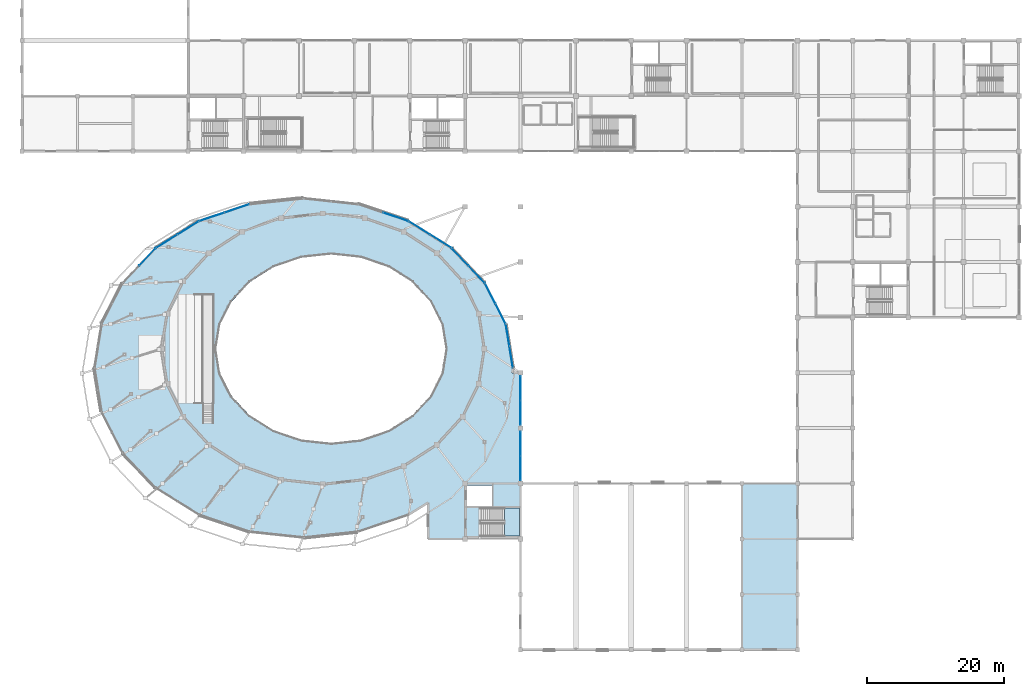
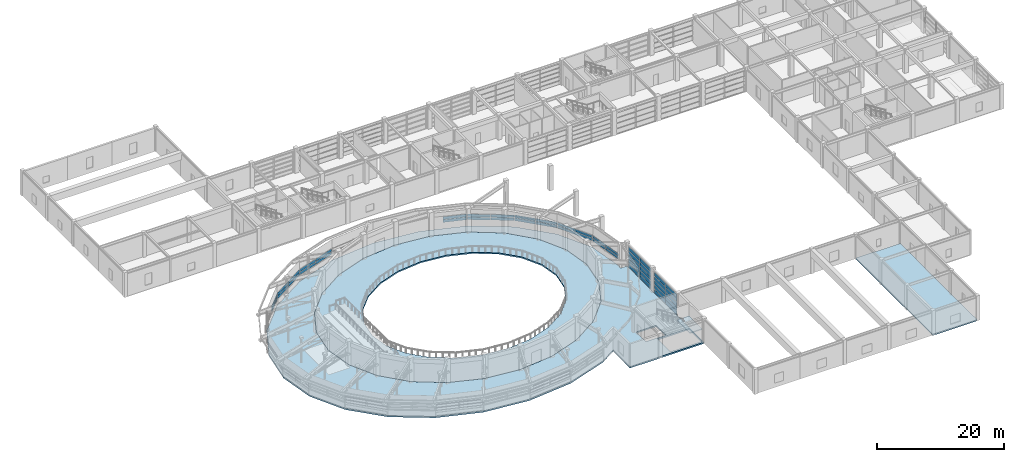
# One storey, part 37 of 58: 48 plates, 4 slabs, 11 elements without a shape of their own.
"""IFC4 building model written with IfcOpenShell, lengths in metres."""

from ifc_helpers import new_model, si_unit, direction, frame, origin, origin_2d, place, context, subcontext, project, spatial, polyline, rectangle, outline, extrude, material, layer, layer_set, type_object, element, aggregate, save


model = new_model("IFC4")

# Units and contexts
model_context = context("Model", 3, precision=1e-05, world=origin(), true_north=direction((0.0, 1.0)))
body_context = subcontext(model_context, "Body", "Model", "MODEL_VIEW")
ifc_project = project(units=[si_unit("LENGTHUNIT", "METRE"), si_unit("AREAUNIT", "SQUARE_METRE"), si_unit("VOLUMEUNIT", "CUBIC_METRE"), si_unit("PLANEANGLEUNIT", "RADIAN"), si_unit("MASSUNIT", "GRAM", prefix="KILO")], contexts=[model_context])

# Site, building, storey
site_placement = place(None, origin())
site = spatial("IfcSite", under=ifc_project, at=site_placement, CompositionType="ELEMENT")
building_placement = place(site_placement, origin())
building = spatial("IfcBuilding", under=site, at=building_placement, Name="Parian Resonance Hall", CompositionType="ELEMENT")
storey_placement = place(building_placement, frame((0.0, 0.0, 10.199951171875)))
storey = spatial("IfcBuildingStorey", under=building, at=storey_placement, Name="L02", CompositionType="ELEMENT", Elevation=10.199951171875)

# Curtain wall, plates
ifc_material_1 = material(Name="Bronze-anodised aluminium frame", Category="aluminium")
curtain_wall_type_1 = type_object("IfcCurtainWallType", Name="CW-SYS-02", PredefinedType="NOTDEFINED", material=ifc_material_1)
curtain_wall_1_placement = place(storey_placement, origin())
curtain_wall_1 = element("IfcCurtainWall", 1, at=curtain_wall_1_placement, inside=storey, type_object=curtain_wall_type_1, Name="Elliptical R2 recessed strip curtain wall 01", PredefinedType="NOTDEFINED")
ifc_material_2 = material(Name="Acoustic laminated double glazing", Category="glass")
ifc_layer_1 = layer(ifc_material_2, 0.02197265625)
ifc_layer_set_1 = layer_set([ifc_layer_1], Name="Acoustic laminated double glazing")
plate_type_1 = type_object("IfcPlateType", Name="CWP-IGU22", PredefinedType="CURTAIN_PANEL", material=ifc_layer_set_1)
plate_1_placement = place(storey_placement, frame((71.0205078125, 45.998046875, 1.20703125), z_axis=(0.0, 0.0, 1.0), x_axis=(0.160345316726, -0.98706098059, 0.0)))
plate_1 = element("IfcPlate", 2, at=plate_1_placement, type_object=plate_type_1, Name="CW-02 panel 1.1", PredefinedType="CURTAIN_PANEL", context=body_context, shape_type="SweptSolid", body=[
    extrude(rectangle(XDim=3.15380859375, YDim=0.02197265625, at=origin_2d()), origin(), (0.0, 0.0, 1.0), 0.510498046875),
])
plate_2_placement = place(storey_placement, frame((71.0205078125, 45.998046875, 1.78271484375), z_axis=(0.0, 0.0, 1.0), x_axis=(0.160345316726, -0.98706098059, 0.0)))
plate_2 = element("IfcPlate", 3, at=plate_2_placement, type_object=plate_type_1, Name="CW-02 panel 1.2", PredefinedType="CURTAIN_PANEL", context=body_context, shape_type="SweptSolid", body=[
    extrude(rectangle(XDim=3.15380859375, YDim=0.02197265625, at=origin_2d()), origin(), (0.0, 0.0, 1.0), 0.512451171875),
])
plate_3_placement = place(storey_placement, frame((71.53662109375, 42.82080078125, 1.20703125), z_axis=(0.0, 0.0, 1.0), x_axis=(0.160345316726, -0.98706098059, 0.0)))
plate_3 = element("IfcPlate", 4, at=plate_3_placement, type_object=plate_type_1, Name="CW-02 panel 2.1", PredefinedType="CURTAIN_PANEL", context=body_context, shape_type="SweptSolid", body=[
    extrude(rectangle(XDim=3.15380859375, YDim=0.02197265625, at=origin_2d()), origin(), (0.0, 0.0, 1.0), 0.510498046875),
])
plate_4_placement = place(storey_placement, frame((71.53662109375, 42.82080078125, 1.78271484375), z_axis=(0.0, 0.0, 1.0), x_axis=(0.160345316726, -0.98706098059, 0.0)))
plate_4 = element("IfcPlate", 5, at=plate_4_placement, type_object=plate_type_1, Name="CW-02 panel 2.2", PredefinedType="CURTAIN_PANEL", context=body_context, shape_type="SweptSolid", body=[
    extrude(rectangle(XDim=3.15380859375, YDim=0.02197265625, at=origin_2d()), origin(), (0.0, 0.0, 1.0), 0.512451171875),
])
aggregate(curtain_wall_1, [plate_1, plate_2, plate_3, plate_4])

ifc_material_3 = material(Name="Bronze-anodised aluminium frame", Category="aluminium")
curtain_wall_type_2 = type_object("IfcCurtainWallType", Name="CW-SYS-05", PredefinedType="NOTDEFINED", material=ifc_material_3)
curtain_wall_2_placement = place(storey_placement, origin())
curtain_wall_2 = element("IfcCurtainWall", 6, at=curtain_wall_2_placement, inside=storey, type_object=curtain_wall_type_2, Name="Elliptical R2 recessed strip curtain wall 04", PredefinedType="NOTDEFINED")
plate_5_placement = place(storey_placement, frame((58.100341796875, 61.68212890625, 1.217041015625), z_axis=(0.0, 0.0, 1.0), x_axis=(0.849184800539, -0.528095800526, 0.0)))
plate_5 = element("IfcPlate", 7, at=plate_5_placement, type_object=plate_type_1, Name="CW-05 panel 1.1", PredefinedType="CURTAIN_PANEL", context=body_context, shape_type="SweptSolid", body=[
    extrude(rectangle(XDim=3.619140625, YDim=0.02197265625, at=origin_2d()), origin(), (0.0, 0.0, 1.0), 0.49560546875),
])
plate_6_placement = place(storey_placement, frame((58.100341796875, 61.68212890625, 1.78759765625), z_axis=(0.0, 0.0, 1.0), x_axis=(0.849184800539, -0.528095800526, 0.0)))
plate_6 = element("IfcPlate", 8, at=plate_6_placement, type_object=plate_type_1, Name="CW-05 panel 1.2", PredefinedType="CURTAIN_PANEL", context=body_context, shape_type="SweptSolid", body=[
    extrude(rectangle(XDim=3.619140625, YDim=0.02197265625, at=origin_2d()), origin(), (0.0, 0.0, 1.0), 0.49755859375),
])
plate_7_placement = place(storey_placement, frame((61.2373046875, 59.7314453125, 1.217041015625), z_axis=(0.0, 0.0, 1.0), x_axis=(0.849184800539, -0.528095800526, 0.0)))
plate_7 = element("IfcPlate", 9, at=plate_7_placement, type_object=plate_type_1, Name="CW-05 panel 2.1", PredefinedType="CURTAIN_PANEL", context=body_context, shape_type="SweptSolid", body=[
    extrude(rectangle(XDim=3.619140625, YDim=0.02197265625, at=origin_2d()), origin(), (0.0, 0.0, 1.0), 0.49560546875),
])
plate_8_placement = place(storey_placement, frame((61.2373046875, 59.7314453125, 1.78759765625), z_axis=(0.0, 0.0, 1.0), x_axis=(0.849184800539, -0.528095800526, 0.0)))
plate_8 = element("IfcPlate", 10, at=plate_8_placement, type_object=plate_type_1, Name="CW-05 panel 2.2", PredefinedType="CURTAIN_PANEL", context=body_context, shape_type="SweptSolid", body=[
    extrude(rectangle(XDim=3.619140625, YDim=0.02197265625, at=origin_2d()), origin(), (0.0, 0.0, 1.0), 0.49755859375),
])
aggregate(curtain_wall_2, [plate_5, plate_6, plate_7, plate_8])

curtain_wall_3_placement = place(storey_placement, origin())
curtain_wall_3 = element("IfcCurtainWall", 11, at=curtain_wall_3_placement, inside=storey, type_object=curtain_wall_type_2, Name="Elliptical R2 recessed strip curtain wall 10", PredefinedType="NOTDEFINED")
plate_9_placement = place(storey_placement, frame((18.333984375, 57.4384765625, 1.217041015625), z_axis=(0.0, 0.0, 1.0), x_axis=(0.687523049737, 0.72616255486, 0.0)))
plate_9 = element("IfcPlate", 12, at=plate_9_placement, type_object=plate_type_1, Name="CW-05 panel 2.1", PredefinedType="CURTAIN_PANEL", context=body_context, shape_type="SweptSolid", body=[
    extrude(rectangle(XDim=3.424072265625, YDim=0.02197265625, at=origin_2d()), origin(), (0.0, 0.0, 1.0), 0.49560546875),
])
plate_10_placement = place(storey_placement, frame((18.333984375, 57.4384765625, 1.78759765625), z_axis=(0.0, 0.0, 1.0), x_axis=(0.687523049737, 0.72616255486, 0.0)))
plate_10 = element("IfcPlate", 13, at=plate_10_placement, type_object=plate_type_1, Name="CW-05 panel 2.2", PredefinedType="CURTAIN_PANEL", context=body_context, shape_type="SweptSolid", body=[
    extrude(rectangle(XDim=3.424072265625, YDim=0.02197265625, at=origin_2d()), origin(), (0.0, 0.0, 1.0), 0.49755859375),
])
aggregate(curtain_wall_3, [plate_9, plate_10])

ifc_material_4 = material(Name="Bronze-anodised aluminium frame", Category="aluminium")
curtain_wall_type_3 = type_object("IfcCurtainWallType", Name="CW-SYS-04", PredefinedType="NOTDEFINED", material=ifc_material_4)
curtain_wall_4_placement = place(storey_placement, origin())
curtain_wall_4 = element("IfcCurtainWall", 14, at=curtain_wall_4_placement, inside=storey, type_object=curtain_wall_type_3, Name="Curtain wall CW-L02-132", PredefinedType="NOTDEFINED")
plate_11_placement = place(storey_placement, frame((72.89990234375, 30.141357421875, 0.06689453125), z_axis=(0.0, 0.0, 1.0), x_axis=(0.0, -1.0, 0.0)))
plate_11 = element("IfcPlate", 15, at=plate_11_placement, type_object=plate_type_1, Name="CW-04 panel 1.1", PredefinedType="CURTAIN_PANEL", context=body_context, shape_type="SweptSolid", body=[
    extrude(rectangle(XDim=3.507568359375, YDim=0.02197265625, at=origin_2d()), origin(), (0.0, 0.0, 1.0), 0.722900390625),
])
plate_12_placement = place(storey_placement, frame((72.89990234375, 30.141357421875, 0.864990234375), z_axis=(0.0, 0.0, 1.0), x_axis=(0.0, -1.0, 0.0)))
plate_12 = element("IfcPlate", 16, at=plate_12_placement, type_object=plate_type_1, Name="CW-04 panel 1.2", PredefinedType="CURTAIN_PANEL", context=body_context, shape_type="SweptSolid", body=[
    extrude(rectangle(XDim=3.507568359375, YDim=0.02197265625, at=origin_2d()), origin(), (0.0, 0.0, 1.0), 0.75244140625),
])
plate_13_placement = place(storey_placement, frame((72.89990234375, 30.141357421875, 1.6923828125), z_axis=(0.0, 0.0, 1.0), x_axis=(0.0, -1.0, 0.0)))
plate_13 = element("IfcPlate", 17, at=plate_13_placement, type_object=plate_type_1, Name="CW-04 panel 1.3", PredefinedType="CURTAIN_PANEL", context=body_context, shape_type="SweptSolid", body=[
    extrude(rectangle(XDim=3.507568359375, YDim=0.02197265625, at=origin_2d()), origin(), (0.0, 0.0, 1.0), 0.75244140625),
])
plate_14_placement = place(storey_placement, frame((72.89990234375, 30.141357421875, 2.519775390625), z_axis=(0.0, 0.0, 1.0), x_axis=(0.0, -1.0, 0.0)))
plate_14 = element("IfcPlate", 18, at=plate_14_placement, type_object=plate_type_1, Name="CW-04 panel 1.4", PredefinedType="CURTAIN_PANEL", context=body_context, shape_type="SweptSolid", body=[
    extrude(rectangle(XDim=3.507568359375, YDim=0.02197265625, at=origin_2d()), origin(), (0.0, 0.0, 1.0), 0.75244140625),
])
plate_15_placement = place(storey_placement, frame((72.89990234375, 30.141357421875, 3.34716796875), z_axis=(0.0, 0.0, 1.0), x_axis=(0.0, -1.0, 0.0)))
plate_15 = element("IfcPlate", 19, at=plate_15_placement, type_object=plate_type_1, Name="CW-04 panel 1.5", PredefinedType="CURTAIN_PANEL", context=body_context, shape_type="SweptSolid", body=[
    extrude(rectangle(XDim=3.507568359375, YDim=0.02197265625, at=origin_2d()), origin(), (0.0, 0.0, 1.0), 0.724853515625),
])
plate_16_placement = place(storey_placement, frame((72.89990234375, 26.558837890625, 0.06689453125), z_axis=(0.0, 0.0, 1.0), x_axis=(0.0, -1.0, 0.0)))
plate_16 = element("IfcPlate", 20, at=plate_16_placement, type_object=plate_type_1, Name="CW-04 panel 2.1", PredefinedType="CURTAIN_PANEL", context=body_context, shape_type="SweptSolid", body=[
    extrude(rectangle(XDim=3.507568359375, YDim=0.02197265625, at=origin_2d()), origin(), (0.0, 0.0, 1.0), 0.722900390625),
])
plate_17_placement = place(storey_placement, frame((72.89990234375, 26.558837890625, 0.864990234375), z_axis=(0.0, 0.0, 1.0), x_axis=(0.0, -1.0, 0.0)))
plate_17 = element("IfcPlate", 21, at=plate_17_placement, type_object=plate_type_1, Name="CW-04 panel 2.2", PredefinedType="CURTAIN_PANEL", context=body_context, shape_type="SweptSolid", body=[
    extrude(rectangle(XDim=3.507568359375, YDim=0.02197265625, at=origin_2d()), origin(), (0.0, 0.0, 1.0), 0.75244140625),
])
plate_18_placement = place(storey_placement, frame((72.89990234375, 26.558837890625, 1.6923828125), z_axis=(0.0, 0.0, 1.0), x_axis=(0.0, -1.0, 0.0)))
plate_18 = element("IfcPlate", 22, at=plate_18_placement, type_object=plate_type_1, Name="CW-04 panel 2.3", PredefinedType="CURTAIN_PANEL", context=body_context, shape_type="SweptSolid", body=[
    extrude(rectangle(XDim=3.507568359375, YDim=0.02197265625, at=origin_2d()), origin(), (0.0, 0.0, 1.0), 0.75244140625),
])
plate_19_placement = place(storey_placement, frame((72.89990234375, 26.558837890625, 2.519775390625), z_axis=(0.0, 0.0, 1.0), x_axis=(0.0, -1.0, 0.0)))
plate_19 = element("IfcPlate", 23, at=plate_19_placement, type_object=plate_type_1, Name="CW-04 panel 2.4", PredefinedType="CURTAIN_PANEL", context=body_context, shape_type="SweptSolid", body=[
    extrude(rectangle(XDim=3.507568359375, YDim=0.02197265625, at=origin_2d()), origin(), (0.0, 0.0, 1.0), 0.75244140625),
])
plate_20_placement = place(storey_placement, frame((72.89990234375, 26.558837890625, 3.34716796875), z_axis=(0.0, 0.0, 1.0), x_axis=(0.0, -1.0, 0.0)))
plate_20 = element("IfcPlate", 24, at=plate_20_placement, type_object=plate_type_1, Name="CW-04 panel 2.5", PredefinedType="CURTAIN_PANEL", context=body_context, shape_type="SweptSolid", body=[
    extrude(rectangle(XDim=3.507568359375, YDim=0.02197265625, at=origin_2d()), origin(), (0.0, 0.0, 1.0), 0.724853515625),
])
aggregate(curtain_wall_4, [plate_11, plate_12, plate_13, plate_14, plate_15, plate_16, plate_17, plate_18, plate_19, plate_20])

ifc_material_5 = material(Name="Bronze-anodised aluminium frame", Category="aluminium")
curtain_wall_type_4 = type_object("IfcCurtainWallType", Name="CW-SYS-03", PredefinedType="NOTDEFINED", material=ifc_material_5)
curtain_wall_5_placement = place(storey_placement, origin())
curtain_wall_5 = element("IfcCurtainWall", 25, at=curtain_wall_5_placement, inside=storey, type_object=curtain_wall_type_4, Name="Elliptical R2 recessed strip curtain wall 02", PredefinedType="NOTDEFINED")
ifc_material_6 = material(Name="Acoustic laminated double glazing", Category="glass")
ifc_layer_2 = layer(ifc_material_6, 0.031982421875)
ifc_layer_set_2 = layer_set([ifc_layer_2], Name="Acoustic laminated double glazing")
plate_type_2 = type_object("IfcPlateType", Name="CWP-IGU32", PredefinedType="CURTAIN_PANEL", material=ifc_layer_set_2)
plate_21_placement = place(storey_placement, frame((68.47314453125, 52.087890625, 1.217041015625), z_axis=(0.0, 0.0, 1.0), x_axis=(0.455086403076, -0.890447284085, 0.0)))
plate_21 = element("IfcPlate", 26, at=plate_21_placement, type_object=plate_type_2, Name="CW-03 panel 1.1", PredefinedType="CURTAIN_PANEL", context=body_context, shape_type="SweptSolid", body=[
    extrude(rectangle(XDim=3.24609375, YDim=0.031982421875, at=origin_2d()), origin(), (0.0, 0.0, 1.0), 0.49560546875),
])
plate_22_placement = place(storey_placement, frame((68.47314453125, 52.087890625, 1.78759765625), z_axis=(0.0, 0.0, 1.0), x_axis=(0.455086403076, -0.890447284085, 0.0)))
plate_22 = element("IfcPlate", 27, at=plate_22_placement, type_object=plate_type_2, Name="CW-03 panel 1.2", PredefinedType="CURTAIN_PANEL", context=body_context, shape_type="SweptSolid", body=[
    extrude(rectangle(XDim=3.24609375, YDim=0.031982421875, at=origin_2d()), origin(), (0.0, 0.0, 1.0), 0.49755859375),
])
plate_23_placement = place(storey_placement, frame((69.984619140625, 49.130615234375, 1.217041015625), z_axis=(0.0, 0.0, 1.0), x_axis=(0.455086403076, -0.890447284085, 0.0)))
plate_23 = element("IfcPlate", 28, at=plate_23_placement, type_object=plate_type_2, Name="CW-03 panel 2.1", PredefinedType="CURTAIN_PANEL", context=body_context, shape_type="SweptSolid", body=[
    extrude(rectangle(XDim=3.24609375, YDim=0.031982421875, at=origin_2d()), origin(), (0.0, 0.0, 1.0), 0.49560546875),
])
plate_24_placement = place(storey_placement, frame((69.984619140625, 49.130615234375, 1.78759765625), z_axis=(0.0, 0.0, 1.0), x_axis=(0.455086403076, -0.890447284085, 0.0)))
plate_24 = element("IfcPlate", 29, at=plate_24_placement, type_object=plate_type_2, Name="CW-03 panel 2.2", PredefinedType="CURTAIN_PANEL", context=body_context, shape_type="SweptSolid", body=[
    extrude(rectangle(XDim=3.24609375, YDim=0.031982421875, at=origin_2d()), origin(), (0.0, 0.0, 1.0), 0.49755859375),
])
aggregate(curtain_wall_5, [plate_21, plate_22, plate_23, plate_24])

ifc_material_7 = material(Name="Bronze-anodised aluminium frame", Category="aluminium")
curtain_wall_type_5 = type_object("IfcCurtainWallType", Name="CW-SYS-06", PredefinedType="NOTDEFINED", material=ifc_material_7)
curtain_wall_6_placement = place(storey_placement, origin())
curtain_wall_6 = element("IfcCurtainWall", 30, at=curtain_wall_6_placement, inside=storey, type_object=curtain_wall_type_5, Name="Elliptical R2 recessed strip curtain wall 05", PredefinedType="NOTDEFINED")
plate_25_placement = place(storey_placement, frame((54.6396484375, 63.302001953125, 1.20703125), z_axis=(0.0, 0.0, 1.0), x_axis=(0.948004171147, -0.318257900904, 0.0)))
plate_25 = element("IfcPlate", 31, at=plate_25_placement, type_object=plate_type_2, Name="CW-06 panel 2.1", PredefinedType="CURTAIN_PANEL", context=body_context, shape_type="SweptSolid", body=[
    extrude(rectangle(XDim=3.794921875, YDim=0.031982421875, at=origin_2d()), origin(), (0.0, 0.0, 1.0), 0.510498046875),
])
plate_26_placement = place(storey_placement, frame((54.6396484375, 63.302001953125, 1.78271484375), z_axis=(0.0, 0.0, 1.0), x_axis=(0.948004171147, -0.318257900904, 0.0)))
plate_26 = element("IfcPlate", 32, at=plate_26_placement, type_object=plate_type_2, Name="CW-06 panel 2.2", PredefinedType="CURTAIN_PANEL", context=body_context, shape_type="SweptSolid", body=[
    extrude(rectangle(XDim=3.794921875, YDim=0.031982421875, at=origin_2d()), origin(), (0.0, 0.0, 1.0), 0.512451171875),
])
aggregate(curtain_wall_6, [plate_25, plate_26])

curtain_wall_7_placement = place(storey_placement, origin())
curtain_wall_7 = element("IfcCurtainWall", 33, at=curtain_wall_7_placement, inside=storey, type_object=curtain_wall_type_4, Name="Elliptical R2 recessed strip curtain wall 08", PredefinedType="NOTDEFINED")
plate_27_placement = place(storey_placement, frame((27.7626953125, 63.302734375, 1.217041015625), z_axis=(0.0, 0.0, 1.0), x_axis=(0.948004171147, 0.318257900904, 0.0)))
plate_27 = element("IfcPlate", 34, at=plate_27_placement, type_object=plate_type_2, Name="CW-03 panel 1.1", PredefinedType="CURTAIN_PANEL", context=body_context, shape_type="SweptSolid", body=[
    extrude(rectangle(XDim=3.780029296875, YDim=0.031982421875, at=origin_2d()), origin(), (0.0, 0.0, 1.0), 0.49560546875),
])
plate_28_placement = place(storey_placement, frame((27.7626953125, 63.302734375, 1.78759765625), z_axis=(0.0, 0.0, 1.0), x_axis=(0.948004171147, 0.318257900904, 0.0)))
plate_28 = element("IfcPlate", 35, at=plate_28_placement, type_object=plate_type_2, Name="CW-03 panel 1.2", PredefinedType="CURTAIN_PANEL", context=body_context, shape_type="SweptSolid", body=[
    extrude(rectangle(XDim=3.780029296875, YDim=0.031982421875, at=origin_2d()), origin(), (0.0, 0.0, 1.0), 0.49755859375),
])
plate_29_placement = place(storey_placement, frame((31.417236328125, 64.529541015625, 1.217041015625), z_axis=(0.0, 0.0, 1.0), x_axis=(0.948004171147, 0.318257900904, 0.0)))
plate_29 = element("IfcPlate", 36, at=plate_29_placement, type_object=plate_type_2, Name="CW-03 panel 2.1", PredefinedType="CURTAIN_PANEL", context=body_context, shape_type="SweptSolid", body=[
    extrude(rectangle(XDim=3.780029296875, YDim=0.031982421875, at=origin_2d()), origin(), (0.0, 0.0, 1.0), 0.49560546875),
])
plate_30_placement = place(storey_placement, frame((31.417236328125, 64.529541015625, 1.78759765625), z_axis=(0.0, 0.0, 1.0), x_axis=(0.948004171147, 0.318257900904, 0.0)))
plate_30 = element("IfcPlate", 37, at=plate_30_placement, type_object=plate_type_2, Name="CW-03 panel 2.2", PredefinedType="CURTAIN_PANEL", context=body_context, shape_type="SweptSolid", body=[
    extrude(rectangle(XDim=3.780029296875, YDim=0.031982421875, at=origin_2d()), origin(), (0.0, 0.0, 1.0), 0.49755859375),
])
aggregate(curtain_wall_7, [plate_27, plate_28, plate_29, plate_30])

curtain_wall_8_placement = place(storey_placement, origin())
curtain_wall_8 = element("IfcCurtainWall", 38, at=curtain_wall_8_placement, inside=storey, type_object=curtain_wall_type_2, Name="Curtain wall CW-L02-136", PredefinedType="NOTDEFINED")
plate_31_placement = place(storey_placement, frame((72.89990234375, 38.2412109375, 0.06689453125), z_axis=(0.0, 0.0, 1.0), x_axis=(0.0, -1.0, 0.0)))
plate_31 = element("IfcPlate", 39, at=plate_31_placement, type_object=plate_type_2, Name="CW-05 panel 1.1", PredefinedType="CURTAIN_PANEL", context=body_context, shape_type="SweptSolid", body=[
    extrude(rectangle(XDim=3.507568359375, YDim=0.031982421875, at=origin_2d()), origin(), (0.0, 0.0, 1.0), 0.722900390625),
])
plate_32_placement = place(storey_placement, frame((72.89990234375, 38.2412109375, 0.864990234375), z_axis=(0.0, 0.0, 1.0), x_axis=(0.0, -1.0, 0.0)))
plate_32 = element("IfcPlate", 40, at=plate_32_placement, type_object=plate_type_2, Name="CW-05 panel 1.2", PredefinedType="CURTAIN_PANEL", context=body_context, shape_type="SweptSolid", body=[
    extrude(rectangle(XDim=3.507568359375, YDim=0.031982421875, at=origin_2d()), origin(), (0.0, 0.0, 1.0), 0.75244140625),
])
plate_33_placement = place(storey_placement, frame((72.89990234375, 38.2412109375, 1.6923828125), z_axis=(0.0, 0.0, 1.0), x_axis=(0.0, -1.0, 0.0)))
plate_33 = element("IfcPlate", 41, at=plate_33_placement, type_object=plate_type_2, Name="CW-05 panel 1.3", PredefinedType="CURTAIN_PANEL", context=body_context, shape_type="SweptSolid", body=[
    extrude(rectangle(XDim=3.507568359375, YDim=0.031982421875, at=origin_2d()), origin(), (0.0, 0.0, 1.0), 0.75244140625),
])
plate_34_placement = place(storey_placement, frame((72.89990234375, 38.2412109375, 2.519775390625), z_axis=(0.0, 0.0, 1.0), x_axis=(0.0, -1.0, 0.0)))
plate_34 = element("IfcPlate", 42, at=plate_34_placement, type_object=plate_type_2, Name="CW-05 panel 1.4", PredefinedType="CURTAIN_PANEL", context=body_context, shape_type="SweptSolid", body=[
    extrude(rectangle(XDim=3.507568359375, YDim=0.031982421875, at=origin_2d()), origin(), (0.0, 0.0, 1.0), 0.75244140625),
])
plate_35_placement = place(storey_placement, frame((72.89990234375, 38.2412109375, 3.34716796875), z_axis=(0.0, 0.0, 1.0), x_axis=(0.0, -1.0, 0.0)))
plate_35 = element("IfcPlate", 43, at=plate_35_placement, type_object=plate_type_2, Name="CW-05 panel 1.5", PredefinedType="CURTAIN_PANEL", context=body_context, shape_type="SweptSolid", body=[
    extrude(rectangle(XDim=3.507568359375, YDim=0.031982421875, at=origin_2d()), origin(), (0.0, 0.0, 1.0), 0.724853515625),
])
plate_36_placement = place(storey_placement, frame((72.89990234375, 34.65869140625, 0.06689453125), z_axis=(0.0, 0.0, 1.0), x_axis=(0.0, -1.0, 0.0)))
plate_36 = element("IfcPlate", 44, at=plate_36_placement, type_object=plate_type_2, Name="CW-05 panel 2.1", PredefinedType="CURTAIN_PANEL", context=body_context, shape_type="SweptSolid", body=[
    extrude(rectangle(XDim=3.507568359375, YDim=0.031982421875, at=origin_2d()), origin(), (0.0, 0.0, 1.0), 0.722900390625),
])
plate_37_placement = place(storey_placement, frame((72.89990234375, 34.65869140625, 0.864990234375), z_axis=(0.0, 0.0, 1.0), x_axis=(0.0, -1.0, 0.0)))
plate_37 = element("IfcPlate", 45, at=plate_37_placement, type_object=plate_type_2, Name="CW-05 panel 2.2", PredefinedType="CURTAIN_PANEL", context=body_context, shape_type="SweptSolid", body=[
    extrude(rectangle(XDim=3.507568359375, YDim=0.031982421875, at=origin_2d()), origin(), (0.0, 0.0, 1.0), 0.75244140625),
])
plate_38_placement = place(storey_placement, frame((72.89990234375, 34.65869140625, 1.6923828125), z_axis=(0.0, 0.0, 1.0), x_axis=(0.0, -1.0, 0.0)))
plate_38 = element("IfcPlate", 46, at=plate_38_placement, type_object=plate_type_2, Name="CW-05 panel 2.3", PredefinedType="CURTAIN_PANEL", context=body_context, shape_type="SweptSolid", body=[
    extrude(rectangle(XDim=3.507568359375, YDim=0.031982421875, at=origin_2d()), origin(), (0.0, 0.0, 1.0), 0.75244140625),
])
plate_39_placement = place(storey_placement, frame((72.89990234375, 34.65869140625, 2.519775390625), z_axis=(0.0, 0.0, 1.0), x_axis=(0.0, -1.0, 0.0)))
plate_39 = element("IfcPlate", 47, at=plate_39_placement, type_object=plate_type_2, Name="CW-05 panel 2.4", PredefinedType="CURTAIN_PANEL", context=body_context, shape_type="SweptSolid", body=[
    extrude(rectangle(XDim=3.507568359375, YDim=0.031982421875, at=origin_2d()), origin(), (0.0, 0.0, 1.0), 0.75244140625),
])
plate_40_placement = place(storey_placement, frame((72.89990234375, 34.65869140625, 3.34716796875), z_axis=(0.0, 0.0, 1.0), x_axis=(0.0, -1.0, 0.0)))
plate_40 = element("IfcPlate", 48, at=plate_40_placement, type_object=plate_type_2, Name="CW-05 panel 2.5", PredefinedType="CURTAIN_PANEL", context=body_context, shape_type="SweptSolid", body=[
    extrude(rectangle(XDim=3.507568359375, YDim=0.031982421875, at=origin_2d()), origin(), (0.0, 0.0, 1.0), 0.724853515625),
])
aggregate(curtain_wall_8, [plate_31, plate_32, plate_33, plate_34, plate_35, plate_36, plate_37, plate_38, plate_39, plate_40])

curtain_wall_9_placement = place(storey_placement, origin())
curtain_wall_9 = element("IfcCurtainWall", 49, at=curtain_wall_9_placement, inside=storey, type_object=curtain_wall_type_3, Name="Elliptical R2 recessed strip curtain wall 03", PredefinedType="NOTDEFINED")
ifc_material_8 = material(Name="Acoustic laminated double glazing", Category="glass")
ifc_layer_3 = layer(ifc_material_8, 0.0419921875)
ifc_layer_set_3 = layer_set([ifc_layer_3], Name="Acoustic laminated double glazing")
plate_type_3 = type_object("IfcPlateType", Name="CWP-IGU42", PredefinedType="CURTAIN_PANEL", material=ifc_layer_set_3)
plate_41_placement = place(storey_placement, frame((64.064453125, 57.4404296875, 1.20703125), z_axis=(0.0, 0.0, 1.0), x_axis=(0.687523049737, -0.72616255486, 0.0)))
plate_41 = element("IfcPlate", 50, at=plate_41_placement, type_object=plate_type_3, Name="CW-04 panel 1.1", PredefinedType="CURTAIN_PANEL", context=body_context, shape_type="SweptSolid", body=[
    extrude(rectangle(XDim=3.43896484375, YDim=0.0419921875, at=origin_2d()), origin(), (0.0, 0.0, 1.0), 0.510498046875),
])
plate_42_placement = place(storey_placement, frame((64.064453125, 57.4404296875, 1.78271484375), z_axis=(0.0, 0.0, 1.0), x_axis=(0.687523049737, -0.72616255486, 0.0)))
plate_42 = element("IfcPlate", 51, at=plate_42_placement, type_object=plate_type_3, Name="CW-04 panel 1.2", PredefinedType="CURTAIN_PANEL", context=body_context, shape_type="SweptSolid", body=[
    extrude(rectangle(XDim=3.43896484375, YDim=0.0419921875, at=origin_2d()), origin(), (0.0, 0.0, 1.0), 0.512451171875),
])
plate_43_placement = place(storey_placement, frame((66.473388671875, 54.895751953125, 1.20703125), z_axis=(0.0, 0.0, 1.0), x_axis=(0.687523049737, -0.72616255486, 0.0)))
plate_43 = element("IfcPlate", 52, at=plate_43_placement, type_object=plate_type_3, Name="CW-04 panel 2.1", PredefinedType="CURTAIN_PANEL", context=body_context, shape_type="SweptSolid", body=[
    extrude(rectangle(XDim=3.43896484375, YDim=0.0419921875, at=origin_2d()), origin(), (0.0, 0.0, 1.0), 0.510498046875),
])
plate_44_placement = place(storey_placement, frame((66.473388671875, 54.895751953125, 1.78271484375), z_axis=(0.0, 0.0, 1.0), x_axis=(0.687523049737, -0.72616255486, 0.0)))
plate_44 = element("IfcPlate", 53, at=plate_44_placement, type_object=plate_type_3, Name="CW-04 panel 2.2", PredefinedType="CURTAIN_PANEL", context=body_context, shape_type="SweptSolid", body=[
    extrude(rectangle(XDim=3.43896484375, YDim=0.0419921875, at=origin_2d()), origin(), (0.0, 0.0, 1.0), 0.512451171875),
])
aggregate(curtain_wall_9, [plate_41, plate_42, plate_43, plate_44])

curtain_wall_10_placement = place(storey_placement, origin())
curtain_wall_10 = element("IfcCurtainWall", 54, at=curtain_wall_10_placement, inside=storey, type_object=curtain_wall_type_3, Name="Elliptical R2 recessed strip curtain wall 09", PredefinedType="NOTDEFINED")
plate_45_placement = place(storey_placement, frame((21.16064453125, 59.72998046875, 1.20703125), z_axis=(0.0, 0.0, 1.0), x_axis=(0.849184800539, 0.528095800526, 0.0)))
plate_45 = element("IfcPlate", 55, at=plate_45_placement, type_object=plate_type_3, Name="CW-04 panel 1.1", PredefinedType="CURTAIN_PANEL", context=body_context, shape_type="SweptSolid", body=[
    extrude(rectangle(XDim=3.634033203125, YDim=0.0419921875, at=origin_2d()), origin(), (0.0, 0.0, 1.0), 0.510498046875),
])
plate_46_placement = place(storey_placement, frame((21.16064453125, 59.72998046875, 1.78271484375), z_axis=(0.0, 0.0, 1.0), x_axis=(0.849184800539, 0.528095800526, 0.0)))
plate_46 = element("IfcPlate", 56, at=plate_46_placement, type_object=plate_type_3, Name="CW-04 panel 1.2", PredefinedType="CURTAIN_PANEL", context=body_context, shape_type="SweptSolid", body=[
    extrude(rectangle(XDim=3.634033203125, YDim=0.0419921875, at=origin_2d()), origin(), (0.0, 0.0, 1.0), 0.512451171875),
])
plate_47_placement = place(storey_placement, frame((24.3017578125, 61.68359375, 1.20703125), z_axis=(0.0, 0.0, 1.0), x_axis=(0.849184800539, 0.528095800526, 0.0)))
plate_47 = element("IfcPlate", 57, at=plate_47_placement, type_object=plate_type_3, Name="CW-04 panel 2.1", PredefinedType="CURTAIN_PANEL", context=body_context, shape_type="SweptSolid", body=[
    extrude(rectangle(XDim=3.634033203125, YDim=0.0419921875, at=origin_2d()), origin(), (0.0, 0.0, 1.0), 0.510498046875),
])
plate_48_placement = place(storey_placement, frame((24.3017578125, 61.68359375, 1.78271484375), z_axis=(0.0, 0.0, 1.0), x_axis=(0.849184800539, 0.528095800526, 0.0)))
plate_48 = element("IfcPlate", 58, at=plate_48_placement, type_object=plate_type_3, Name="CW-04 panel 2.2", PredefinedType="CURTAIN_PANEL", context=body_context, shape_type="SweptSolid", body=[
    extrude(rectangle(XDim=3.634033203125, YDim=0.0419921875, at=origin_2d()), origin(), (0.0, 0.0, 1.0), 0.512451171875),
])
aggregate(curtain_wall_10, [plate_45, plate_46, plate_47, plate_48])

# Slabs
ifc_material_9 = material(Name="Concrete C35/45", Category="concrete")
ifc_layer_4 = layer(ifc_material_9, 0.239990234375)
ifc_layer_set_4 = layer_set([ifc_layer_4], Name="Concrete C35/45")
slab_type_1 = type_object("IfcSlabType", Name="SLB-FLR-240", PredefinedType="FLOOR", material=ifc_layer_set_4)
slab_1_placement = place(storey_placement, frame((0.0, 0.0, -0.239990234375)))
element("IfcSlab", 59, at=slab_1_placement, inside=storey, type_object=slab_type_1, Name="Rehearsal pavilion L02 observation gallery slab", PredefinedType="FLOOR", context=body_context, shape_type="SweptSolid", body=[
    extrude(outline(polyline([(105.300048828125, 0.0), (113.39990234375, 0.0), (113.39990234375, 24.300048828125), (105.300048828125, 24.300048828125), (105.300048828125, 0.0)])), origin(), (0.0, 0.0, 1.0), 0.239990234375),
])
ifc_material_10 = material(Name="Concrete C35/45", Category="concrete")
ifc_layer_5 = layer(ifc_material_10, 0.25)
ifc_layer_set_5 = layer_set([ifc_layer_5], Name="Concrete C35/45")
slab_type_2 = type_object("IfcSlabType", Name="SLB-FLR-250", PredefinedType="FLOOR", material=ifc_layer_set_5)
slab_2_placement = place(storey_placement, frame((0.0, 0.0, -0.25)))
element("IfcSlab", 60, at=slab_2_placement, inside=storey, type_object=slab_type_2, Name="Main Concert Hall first balcony slab", PredefinedType="FLOOR", context=body_context, shape_type="SweptSolid", body=[
    extrude(outline(polyline([(67.60009765625, 44.0), (66.7958984375, 49.12451171875), (64.438232421875, 53.89990234375), (60.687744140625, 58.000732421875), (55.800048828125, 61.147216796875), (50.108154296875, 63.125244140625), (44.0, 63.800048828125), (37.891845703125, 63.125244140625), (32.199951171875, 61.147216796875), (27.312255859375, 58.000732421875), (23.561767578125, 53.89990234375), (21.2041015625, 49.12451171875), (20.39990234375, 44.0), (21.2041015625, 38.87548828125), (23.561767578125, 34.10009765625), (27.312255859375, 29.999267578125), (32.199951171875, 26.852783203125), (37.891845703125, 24.874755859375), (44.0, 24.199951171875), (50.108154296875, 24.874755859375), (55.800048828125, 26.852783203125), (60.687744140625, 29.999267578125), (64.438232421875, 34.10009765625), (66.7958984375, 38.87548828125), (67.60009765625, 44.0)]), holes=[polyline([(62.0, 44.0), (61.427490234375, 40.42822265625), (59.749267578125, 37.10009765625), (57.079345703125, 34.241943359375), (53.60009765625, 32.048828125), (49.548095703125, 30.670166015625), (45.199951171875, 30.199951171875), (40.851806640625, 30.670166015625), (36.800048828125, 32.048828125), (33.320556640625, 34.241943359375), (30.65087890625, 37.10009765625), (28.972412109375, 40.42822265625), (28.39990234375, 44.0), (28.972412109375, 47.57177734375), (30.65087890625, 50.89990234375), (33.320556640625, 53.758056640625), (36.800048828125, 55.951171875), (40.851806640625, 57.329833984375), (45.199951171875, 57.800048828125), (49.548095703125, 57.329833984375), (53.60009765625, 55.951171875), (57.079345703125, 53.758056640625), (59.749267578125, 50.89990234375), (61.427490234375, 47.57177734375), (62.0, 44.0)])]), origin(), (0.0, 0.0, 1.0), 0.25),
])
ifc_material_11 = material(Name="Concrete C35/45", Category="concrete")
ifc_layer_6 = layer(ifc_material_11, 0.27001953125)
ifc_layer_set_6 = layer_set([ifc_layer_6], Name="Concrete C35/45")
slab_type_3 = type_object("IfcSlabType", Name="SLB-FLR-270", PredefinedType="FLOOR", material=ifc_layer_set_6)
slab_3_placement = place(storey_placement, frame((0.0, 0.0, -0.27001953125)))
element("IfcSlab", 61, at=slab_3_placement, inside=storey, type_object=slab_type_3, Name="Elliptical Ring 2 foyer floor slab", PredefinedType="FLOOR", context=body_context, shape_type="SweptSolid", body=[
    extrude(outline(polyline([(72.89990234375, 16.199951171875), (72.89990234375, 40.5), (71.686279296875, 40.5), (71.800048828125, 41.199951171875), (70.75732421875, 47.61865234375), (67.700439453125, 53.60009765625), (62.83740234375, 58.736083984375), (56.5, 62.677490234375), (49.119873046875, 65.155029296875), (41.199951171875, 66.0), (33.280029296875, 65.155029296875), (25.89990234375, 62.677490234375), (19.5625, 58.736083984375), (14.69970703125, 53.60009765625), (11.642578125, 47.61865234375), (10.60009765625, 41.199951171875), (11.642578125, 34.78125), (14.69970703125, 28.800048828125), (19.5625, 23.663818359375), (25.89990234375, 19.72265625), (33.280029296875, 17.2451171875), (41.199951171875, 16.39990234375), (49.119873046875, 17.2451171875), (56.5, 19.72265625), (59.39990234375, 21.526123046875), (59.39990234375, 16.199951171875), (72.89990234375, 16.199951171875)]), holes=[polyline([(66.7958984375, 49.12451171875), (67.60009765625, 44.0), (66.7958984375, 38.87548828125), (64.438232421875, 34.10009765625), (60.687744140625, 29.999267578125), (55.800048828125, 26.852783203125), (50.108154296875, 24.874755859375), (44.0, 24.199951171875), (37.891845703125, 24.874755859375), (32.199951171875, 26.852783203125), (27.312255859375, 29.999267578125), (23.561767578125, 34.10009765625), (21.2041015625, 38.87548828125), (20.39990234375, 44.0), (21.2041015625, 49.12451171875), (23.561767578125, 53.89990234375), (27.312255859375, 58.000732421875), (32.199951171875, 61.147216796875), (37.891845703125, 63.125244140625), (44.0, 63.800048828125), (50.108154296875, 63.125244140625), (55.800048828125, 61.147216796875), (60.687744140625, 58.000732421875), (64.438232421875, 53.89990234375), (66.7958984375, 49.12451171875)]), polyline([(66.9951171875, 20.699951171875), (72.760009765625, 20.699951171875), (72.760009765625, 16.60009765625), (66.9951171875, 16.60009765625), (66.9951171875, 20.699951171875)]), polyline([(65.0400390625, 24.0), (68.699951171875, 24.0), (68.699951171875, 20.949951171875), (65.0400390625, 20.949951171875), (65.0400390625, 24.0)])]), origin(), (0.0, 0.0, 1.0), 0.27001953125),
])

# Stair, slab
ifc_material_12 = material(Name="Concrete C40/50", Category="concrete")
stair_type = type_object("IfcStairType", Name="STAIR-CORE-1850", PredefinedType="HALF_TURN_STAIR", material=ifc_material_12)
stair_placement = place(storey_placement, origin())
stair = element("IfcStair", 62, at=stair_placement, inside=storey, type_object=stair_type, Name="L02 ST-03", PredefinedType="HALF_TURN_STAIR")
ifc_material_13 = material(Name="Concrete C40/50", Category="concrete")
ifc_layer_7 = layer(ifc_material_13, 0.199951171875)
ifc_layer_set_7 = layer_set([ifc_layer_7], Name="Concrete C40/50")
slab_type_4 = type_object("IfcSlabType", Name="SLB-LANDING-200", PredefinedType="LANDING", material=ifc_layer_set_7)
slab_4_placement = place(storey_placement, frame((0.0, 0.0, 2.199951171875)))
slab_4 = element("IfcSlab", 63, at=slab_4_placement, type_object=slab_type_4, Name="ST-03 landing 1", PredefinedType="LANDING", context=body_context, shape_type="SweptSolid", body=[
    extrude(outline(polyline([(70.580078125, 16.60009765625), (72.760009765625, 16.60009765625), (72.760009765625, 20.699951171875), (70.580078125, 20.699951171875), (70.580078125, 16.60009765625)])), origin(), (0.0, 0.0, 1.0), 0.2001953125),
])
aggregate(stair, [slab_4])

save(model, "model.ifc")
